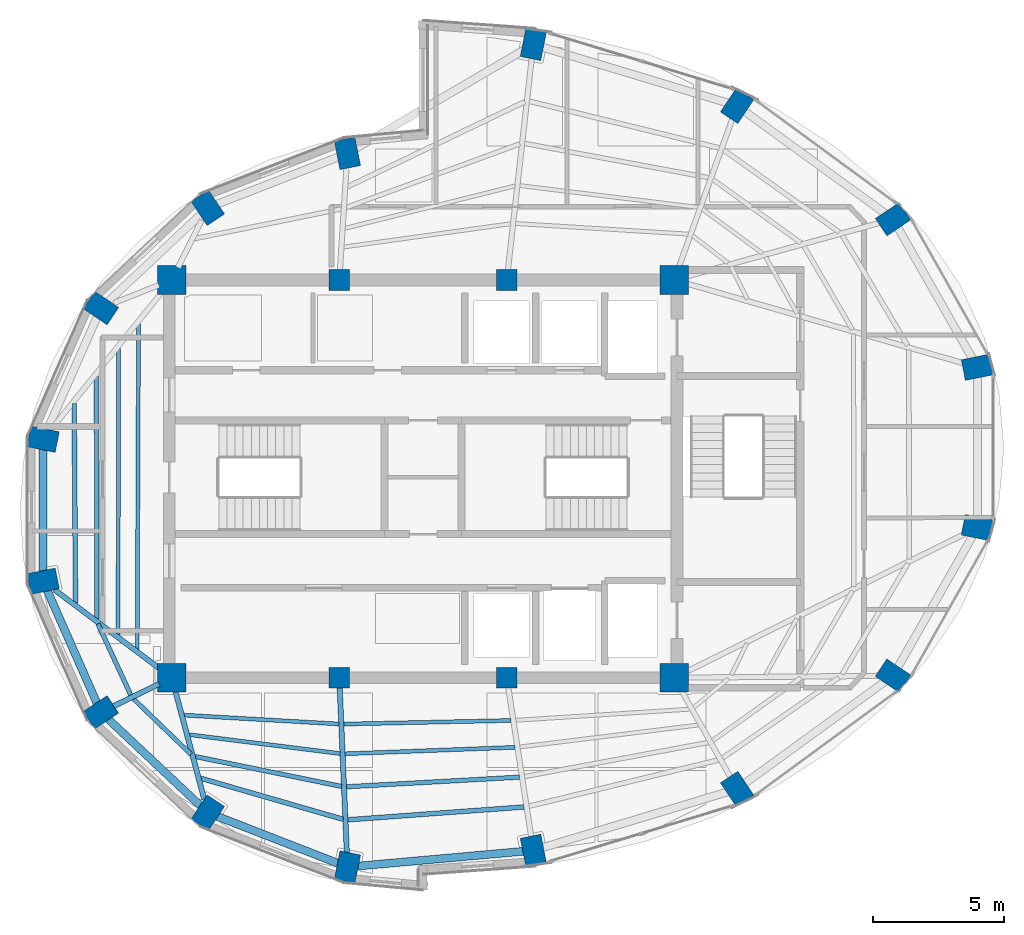
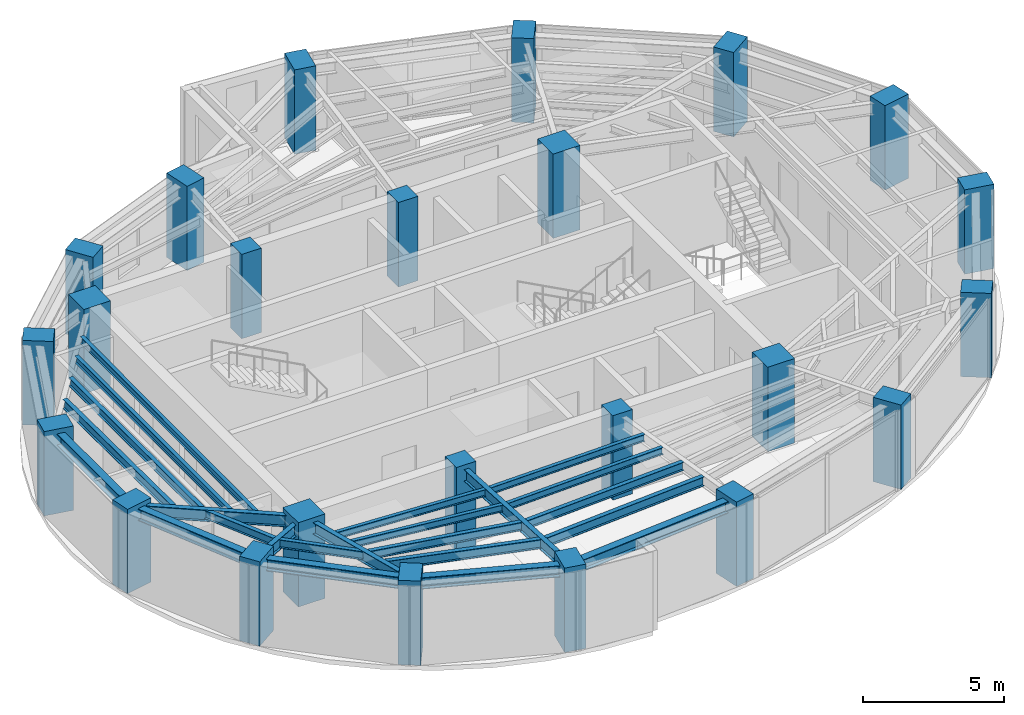
# One storey, part 1 of 13: 24 columns, 23 beams.
"""IFC4 building model written with IfcOpenShell, lengths in metres."""

from ifc_helpers import new_model, si_unit, direction, frame, origin, origin_2d, place, context, subcontext, project, spatial, rectangle, i_section, extrude, material, material_profile, profile_set, type_object, element, save


model = new_model("IFC4")

# Units and contexts
model_context = context("Model", 3, precision=1e-05, world=origin(), true_north=direction((0.0, 1.0)))
body_context = subcontext(model_context, "Body", "Model", "MODEL_VIEW")
ifc_project = project(units=[si_unit("LENGTHUNIT", "METRE"), si_unit("AREAUNIT", "SQUARE_METRE"), si_unit("VOLUMEUNIT", "CUBIC_METRE"), si_unit("PLANEANGLEUNIT", "RADIAN"), si_unit("MASSUNIT", "GRAM", prefix="KILO")], contexts=[model_context])

# Site, building, storey
site_placement = place(None, origin())
site = spatial("IfcSite", under=ifc_project, at=site_placement, CompositionType="ELEMENT")
building_placement = place(site_placement, origin())
building = spatial("IfcBuilding", under=site, at=building_placement, Name="Lazwardi Medical Tower", CompositionType="ELEMENT")
storey_placement = place(building_placement, frame((0.0, 0.0, 276.912109375)))
storey = spatial("IfcBuildingStorey", under=building, at=storey_placement, Name="L72", CompositionType="ELEMENT", Elevation=276.912109375)

# Columns
ifc_material_1 = material(Name="Concrete C80/95", Category="concrete")
ifc_material_profile_1 = material_profile(ifc_material_1, rectangle(XDim=1.10009765625, YDim=1.10009765625, at=origin_2d()), Name="RC 1100x1100")
ifc_profile_set_1 = profile_set([ifc_material_profile_1], Name="Concrete C80/95")
column_type_1 = type_object("IfcColumnType", Name="COL-CC-L", PredefinedType="COLUMN", material=ifc_profile_set_1)
for number, where, z_axis, x_axis, name in (
    (1, (26.39990234375, 20.39990234375, 0.0), (0.0, 0.0, 1.0), (1.0, 0.0, 0.0), "Core column CC-01 CC1 L72"),
    (2, (45.60009765625, 20.39990234375, 0.0), (0.0, 0.0, 1.0), (1.0, 0.0, 0.0), "Core column CC-01 CC4 L72"),
    (3, (45.60009765625, 35.60009765625, 0.0), (0.0, 0.0, 1.0), (1.0, 0.0, 0.0), "Core column CC-01 CC5 L72"),
    (4, (26.39990234375, 35.60009765625, 0.0), (0.0, 0.0, 1.0), (1.0, 0.0, 0.0), "Core column CC-01 CC8 L72"),
):
    element("IfcColumn", number, at=place(storey_placement, frame(where, z_axis=z_axis, x_axis=x_axis)), inside=storey, type_object=column_type_1, Name=name, PredefinedType="COLUMN", context=body_context, shape_type="SweptSolid", body=[
        extrude(rectangle(XDim=1.10009765625, YDim=1.10009765625, at=origin_2d()), origin(), (0.0, 0.0, 1.0), 3.64794921875),
    ])
ifc_material_2 = material(Name="Concrete C60/75", Category="concrete")
ifc_material_profile_2 = material_profile(ifc_material_2, rectangle(XDim=0.800048828125, YDim=0.800048828125, at=origin_2d()), Name="RC 800x800")
ifc_profile_set_2 = profile_set([ifc_material_profile_2], Name="Concrete C60/75")
column_type_2 = type_object("IfcColumnType", Name="COL-CC-U", PredefinedType="COLUMN", material=ifc_profile_set_2)
for number, where, z_axis, x_axis, name in (
    (5, (32.800048828125, 20.39990234375, 0.0), (0.0, 0.0, 1.0), (1.0, 0.0, 0.0), "Core column CC-03 CC2 L72"),
    (6, (39.199951171875, 20.39990234375, 0.0), (0.0, 0.0, 1.0), (1.0, 0.0, 0.0), "Core column CC-03 CC3 L72"),
    (7, (39.199951171875, 35.60009765625, 0.0), (0.0, 0.0, 1.0), (1.0, 0.0, 0.0), "Core column CC-03 CC6 L72"),
    (8, (32.800048828125, 35.60009765625, 0.0), (0.0, 0.0, 1.0), (1.0, 0.0, 0.0), "Core column CC-03 CC7 L72"),
):
    element("IfcColumn", number, at=place(storey_placement, frame(where, z_axis=z_axis, x_axis=x_axis)), inside=storey, type_object=column_type_2, Name=name, PredefinedType="COLUMN", context=body_context, shape_type="SweptSolid", body=[
        extrude(rectangle(XDim=0.800048828125, YDim=0.800048828125, at=origin_2d()), origin(), (0.0, 0.0, 1.0), 3.64794921875),
    ])
ifc_material_profile_3 = material_profile(ifc_material_2, rectangle(XDim=1.10009765625, YDim=0.800048828125, at=origin_2d()), Name="CFT-RECT 1100x800")
ifc_profile_set_3 = profile_set([ifc_material_profile_3], Name="Concrete C60/75")
column_type_3 = type_object("IfcColumnType", Name="COL-MC-Z4", PredefinedType="COLUMN", material=ifc_profile_set_3)
for number, where, z_axis, x_axis, name in (
    (9, (40.214111328125, 13.8017578125, 0.0), (0.0, 0.0, 1.0), (0.195090322016, -0.980785280403, 0.0), "Mega column MC-06 M01 L72"),
    (10, (48.000244140625, 16.14599609375, 0.0), (0.0, 0.0, 1.0), (0.55557023302, -0.831469612303, 0.0), "Mega column MC-06 M02 L72"),
    (11, (53.959716796875, 20.4775390625, 0.0), (0.0, 0.0, 1.0), (0.831469612303, -0.55557023302, 0.0), "Mega column MC-06 M03 L72"),
    (12, (57.18505859375, 26.13720703125, 0.0), (0.0, 0.0, 1.0), (0.980785280403, -0.195090322016, 0.0), "Mega column MC-06 M04 L72"),
    (13, (57.18505859375, 32.262939453125, 0.0), (0.0, 0.0, 1.0), (0.980785280403, 0.195090322016, 0.0), "Mega column MC-06 M05 L72"),
    (14, (53.959716796875, 37.922607421875, 0.0), (0.0, 0.0, 1.0), (0.831469612303, 0.55557023302, 0.0), "Mega column MC-06 M06 L72"),
    (15, (48.000244140625, 42.254150390625, 0.0), (0.0, 0.0, 1.0), (0.55557023302, 0.831469612303, 0.0), "Mega column MC-06 M07 L72"),
    (16, (40.214111328125, 44.598388671875, 0.0), (0.0, 0.0, 1.0), (0.195090322016, 0.980785280403, 0.0), "Mega column MC-06 M08 L72"),
    (17, (33.11279296875, 40.432861328125, 0.0), (0.0, 0.0, 1.0), (-0.195090322016, 0.980785280403, 0.0), "Mega column MC-06 M09 L72"),
    (18, (27.777587890625, 38.357421875, 0.0), (0.0, 0.0, 1.0), (-0.55557023302, 0.831469612303, 0.0), "Mega column MC-06 M10 L72"),
    (19, (23.694091796875, 34.5224609375, 0.0), (0.0, 0.0, 1.0), (-0.831469612303, 0.55557023302, 0.0), "Mega column MC-06 M11 L72"),
    (20, (21.484375, 29.51171875, 0.0), (0.0, 0.0, 1.0), (-0.980785280403, 0.195090322016, 0.0), "Mega column MC-06 M12 L72"),
    (21, (21.484375, 24.088134765625, 0.0), (0.0, 0.0, 1.0), (-0.980785280403, -0.195090322016, 0.0), "Mega column MC-06 M13 L72"),
    (22, (23.694091796875, 19.07763671875, 0.0), (0.0, 0.0, 1.0), (-0.831469612303, -0.55557023302, 0.0), "Mega column MC-06 M14 L72"),
    (23, (27.777587890625, 15.24267578125, 0.0), (0.0, 0.0, 1.0), (-0.55557023302, -0.831469612303, 0.0), "Mega column MC-06 M15 L72"),
    (24, (33.11279296875, 13.1669921875, 0.0), (0.0, 0.0, 1.0), (-0.195090322016, -0.980785280403, 0.0), "Mega column MC-06 M16 L72"),
):
    element("IfcColumn", number, at=place(storey_placement, frame(where, z_axis=z_axis, x_axis=x_axis)), inside=storey, type_object=column_type_3, Name=name, PredefinedType="COLUMN", context=body_context, shape_type="SweptSolid", body=[
        extrude(rectangle(XDim=1.10009765625, YDim=0.800048828125, at=origin_2d()), origin(), (0.0, 0.0, 1.0), 3.64794921875),
    ])

# Beams
ifc_material_3 = material(Name="Steel S355", Category="steel")
ifc_material_profile_4 = material_profile(ifc_material_3, i_section(OverallWidth=0.300048828125, OverallDepth=0.5, WebThickness=0.014404296875, FlangeThickness=0.028076171875, at=origin_2d()), Name="HEB 500")
ifc_profile_set_4 = profile_set([ifc_material_profile_4], Name="Steel S355")
beam_type_1 = type_object("IfcBeamType", Name="BM-RB-Z4", PredefinedType="BEAM", material=ifc_profile_set_4)
beam_1_placement = place(storey_placement, frame((21.484375, 29.121826171875, 3.197998046875), z_axis=(0.0, -1.0, 0.0), x_axis=(1.0, 0.0, 0.0)))
element("IfcBeam", 25, at=beam_1_placement, inside=storey, type_object=beam_type_1, Name="Ring beam RB-05 B12 L72", PredefinedType="BEAM", context=body_context, shape_type="SweptSolid", body=[
    extrude(i_section(OverallWidth=0.300048828125, OverallDepth=0.5, WebThickness=0.014404296875, FlangeThickness=0.028076171875, at=origin_2d()), origin(), (0.0, 0.0, 1.0), 4.6435546875),
])
beam_2_placement = place(storey_placement, frame((21.641845703125, 23.7314453125, 3.197998046875), z_axis=(0.403503258239, -0.914978207713, 0.0), x_axis=(0.914978207713, 0.403503258239, 0.0)))
element("IfcBeam", 26, at=beam_2_placement, inside=storey, type_object=beam_type_1, Name="Ring beam RB-05 B13 L72", PredefinedType="BEAM", context=body_context, shape_type="SweptSolid", body=[
    extrude(i_section(OverallWidth=0.300048828125, OverallDepth=0.5, WebThickness=0.014404296875, FlangeThickness=0.028076171875, at=origin_2d()), origin(), (0.0, 0.0, 1.0), 4.696533203125),
])
beam_3_placement = place(storey_placement, frame((23.978515625, 18.810546875, 3.197998046875), z_axis=(0.728935349177, -0.684582541934, 0.0), x_axis=(0.684582541934, 0.728935349177, 0.0)))
element("IfcBeam", 27, at=beam_3_placement, inside=storey, type_object=beam_type_1, Name="Ring beam RB-05 B14 L72", PredefinedType="BEAM", context=body_context, shape_type="SweptSolid", body=[
    extrude(i_section(OverallWidth=0.300048828125, OverallDepth=0.5, WebThickness=0.014404296875, FlangeThickness=0.028076171875, at=origin_2d()), origin(), (0.0, 0.0, 1.0), 4.822021484375),
])
beam_4_placement = place(storey_placement, frame((28.14111328125, 15.101318359375, 3.197998046875), z_axis=(0.931959260109, -0.362563011761, 0.0), x_axis=(0.362563011761, 0.931959260109, 0.0)))
element("IfcBeam", 28, at=beam_4_placement, inside=storey, type_object=beam_type_1, Name="Ring beam RB-05 B15 L72", PredefinedType="BEAM", context=body_context, shape_type="SweptSolid", body=[
    extrude(i_section(OverallWidth=0.300048828125, OverallDepth=0.5, WebThickness=0.014404296875, FlangeThickness=0.028076171875, at=origin_2d()), origin(), (0.0, 0.0, 1.0), 4.944580078125),
])
beam_5_placement = place(storey_placement, frame((33.501220703125, 13.201904296875, 3.197998046875), z_axis=(0.996030403479, 0.089013680669, 0.0), x_axis=(-0.089013680669, 0.996030403479, 0.0)))
element("IfcBeam", 29, at=beam_5_placement, inside=storey, type_object=beam_type_1, Name="Ring beam RB-05 B16 L72", PredefinedType="BEAM", context=body_context, shape_type="SweptSolid", body=[
    extrude(i_section(OverallWidth=0.300048828125, OverallDepth=0.5, WebThickness=0.014404296875, FlangeThickness=0.028076171875, at=origin_2d()), origin(), (0.0, 0.0, 1.0), 6.349365234375),
])
ifc_material_profile_5 = material_profile(ifc_material_3, i_section(OverallWidth=0.199951171875, OverallDepth=0.5, WebThickness=0.01025390625, FlangeThickness=0.01611328125, at=origin_2d()), Name="IPE 500")
ifc_profile_set_5 = profile_set([ifc_material_profile_5], Name="Steel S355")
beam_type_2 = type_object("IfcBeamType", Name="BM-RG-W3", PredefinedType="BEAM", material=ifc_profile_set_5)
beam_6_placement = place(storey_placement, frame((21.912353515625, 23.76708984375, 3.197998046875), z_axis=(0.79990185954, -0.600130831657, 0.0), x_axis=(0.600130831657, 0.79990185954, 0.0)))
element("IfcBeam", 30, at=beam_6_placement, inside=storey, type_object=beam_type_2, Name="Radial girder RG-04 R13 L72", PredefinedType="BEAM", context=body_context, shape_type="SweptSolid", body=[
    extrude(i_section(OverallWidth=0.199951171875, OverallDepth=0.5, WebThickness=0.01025390625, FlangeThickness=0.01611328125, at=origin_2d()), origin(), (0.0, 0.0, 1.0), 5.075439453125),
])
beam_7_placement = place(storey_placement, frame((24.1748046875, 19.3125, 3.197998046875), z_axis=(0.898439482653, 0.43909736507, 0.0), x_axis=(-0.43909736507, 0.898439482653, 0.0)))
element("IfcBeam", 31, at=beam_7_placement, inside=storey, type_object=beam_type_2, Name="Radial girder RG-04 R14 L72", PredefinedType="BEAM", context=body_context, shape_type="SweptSolid", body=[
    extrude(i_section(OverallWidth=0.199951171875, OverallDepth=0.5, WebThickness=0.01025390625, FlangeThickness=0.01611328125, at=origin_2d()), origin(), (0.0, 0.0, 1.0), 1.941650390625),
])
beam_8_placement = place(storey_placement, frame((27.639404296875, 15.759521484375, 3.197998046875), z_axis=(-0.25803645922, 0.966135179834, 0.0), x_axis=(-0.966135179834, -0.25803645922, 0.0)))
element("IfcBeam", 32, at=beam_8_placement, inside=storey, type_object=beam_type_2, Name="Radial girder RG-04 R15 L72", PredefinedType="BEAM", context=body_context, shape_type="SweptSolid", body=[
    extrude(i_section(OverallWidth=0.199951171875, OverallDepth=0.5, WebThickness=0.01025390625, FlangeThickness=0.01611328125, at=origin_2d()), origin(), (0.0, 0.0, 1.0), 4.26806640625),
])
beam_9_placement = place(storey_placement, frame((33.089599609375, 13.70166015625, 3.197998046875), z_axis=(-0.043190778794, 0.999066842923, 0.0), x_axis=(-0.999066842923, -0.043190778794, 0.0)))
element("IfcBeam", 33, at=beam_9_placement, inside=storey, type_object=beam_type_2, Name="Radial girder RG-04 R16 L72", PredefinedType="BEAM", context=body_context, shape_type="SweptSolid", body=[
    extrude(i_section(OverallWidth=0.199951171875, OverallDepth=0.5, WebThickness=0.01025390625, FlangeThickness=0.01611328125, at=origin_2d()), origin(), (0.0, 0.0, 1.0), 6.319580078125),
])
ifc_material_profile_6 = material_profile(ifc_material_3, i_section(OverallWidth=0.179931640625, OverallDepth=0.39990234375, WebThickness=0.008544921875, FlangeThickness=0.013427734375, at=origin_2d()), Name="IPE 400")
ifc_profile_set_6 = profile_set([ifc_material_profile_6], Name="Steel S355")
beam_type_3 = type_object("IfcBeamType", Name="BM-SJ-01", PredefinedType="JOIST", material=ifc_profile_set_6)
beam_10_placement = place(storey_placement, frame((22.669921875, 30.88427734375, 3.247802734375), z_axis=(0.007038023905, -0.999975232803, 0.0), x_axis=(0.999975232803, 0.007038023905, 0.0)))
element("IfcBeam", 34, at=beam_10_placement, inside=storey, type_object=beam_type_3, Name="Secondary joist SJ-01 R1 B12 L72", PredefinedType="JOIST", context=body_context, shape_type="SweptSolid", body=[
    extrude(i_section(OverallWidth=0.179931640625, OverallDepth=0.39990234375, WebThickness=0.008544921875, FlangeThickness=0.013427734375, at=origin_2d()), origin(), (0.0, 0.0, 1.0), 7.631591796875),
])
beam_11_placement = place(storey_placement, frame((27.510498046875, 16.557861328125, 3.247802734375), z_axis=(0.960828455467, -0.277143787887, 0.0), x_axis=(0.277143787887, 0.960828455467, 0.0)))
element("IfcBeam", 35, at=beam_11_placement, inside=storey, type_object=beam_type_3, Name="Secondary joist SJ-01 R1 B15 L72", PredefinedType="JOIST", context=body_context, shape_type="SweptSolid", body=[
    extrude(i_section(OverallWidth=0.179931640625, OverallDepth=0.39990234375, WebThickness=0.008544921875, FlangeThickness=0.013427734375, at=origin_2d()), origin(), (0.0, 0.0, 1.0), 5.654541015625),
])
beam_12_placement = place(storey_placement, frame((33.129638671875, 14.97119140625, 3.247802734375), z_axis=(0.997360105889, 0.072614180298, 0.0), x_axis=(-0.072614180298, 0.997360105889, 0.0)))
element("IfcBeam", 36, at=beam_12_placement, inside=storey, type_object=beam_type_3, Name="Secondary joist SJ-01 R1 B16 L72", PredefinedType="JOIST", context=body_context, shape_type="SweptSolid", body=[
    extrude(i_section(OverallWidth=0.179931640625, OverallDepth=0.39990234375, WebThickness=0.008544921875, FlangeThickness=0.013427734375, at=origin_2d()), origin(), (0.0, 0.0, 1.0), 6.751220703125),
])
ifc_material_profile_7 = material_profile(ifc_material_3, i_section(OverallWidth=0.169921875, OverallDepth=0.360107421875, WebThickness=0.008056640625, FlangeThickness=0.0126953125, at=origin_2d()), Name="IPE 360")
ifc_profile_set_7 = profile_set([ifc_material_profile_7], Name="Steel S355")
beam_type_4 = type_object("IfcBeamType", Name="BM-SJ-02", PredefinedType="JOIST", material=ifc_profile_set_7)
beam_13_placement = place(storey_placement, frame((23.51806640625, 31.935302734375, 3.267822265625), z_axis=(0.001918121439, -0.999998160403, 0.0), x_axis=(0.999998160403, 0.001918121439, 0.0)))
element("IfcBeam", 37, at=beam_13_placement, inside=storey, type_object=beam_type_4, Name="Secondary joist SJ-02 R2 B12 L72", PredefinedType="JOIST", context=body_context, shape_type="SweptSolid", body=[
    extrude(i_section(OverallWidth=0.169921875, OverallDepth=0.360107421875, WebThickness=0.008056640625, FlangeThickness=0.0126953125, at=origin_2d()), origin(), (0.0, 0.0, 1.0), 9.29150390625),
])
beam_14_placement = place(storey_placement, frame((23.575927734375, 22.46240234375, 3.267822265625), z_axis=(0.419120130681, -0.907930788143, 0.0), x_axis=(0.907930788143, 0.419120130681, 0.0)))
element("IfcBeam", 38, at=beam_14_placement, inside=storey, type_object=beam_type_4, Name="Secondary joist SJ-02 R2 B13 L72", PredefinedType="JOIST", context=body_context, shape_type="SweptSolid", body=[
    extrude(i_section(OverallWidth=0.169921875, OverallDepth=0.360107421875, WebThickness=0.008056640625, FlangeThickness=0.0126953125, at=origin_2d()), origin(), (0.0, 0.0, 1.0), 2.998779296875),
])
beam_15_placement = place(storey_placement, frame((24.94091796875, 19.587646484375, 3.267822265625), z_axis=(0.719630919159, -0.694356781626, 0.0), x_axis=(0.694356781626, 0.719630919159, 0.0)))
element("IfcBeam", 39, at=beam_15_placement, inside=storey, type_object=beam_type_4, Name="Secondary joist SJ-02 R2 B14 L72", PredefinedType="JOIST", context=body_context, shape_type="SweptSolid", body=[
    extrude(i_section(OverallWidth=0.169921875, OverallDepth=0.360107421875, WebThickness=0.008056640625, FlangeThickness=0.0126953125, at=origin_2d()), origin(), (0.0, 0.0, 1.0), 3.042724609375),
])
beam_16_placement = place(storey_placement, frame((27.2919921875, 17.389892578125, 3.267822265625), z_axis=(0.979738197465, -0.200282461608, 0.0), x_axis=(0.200282461608, 0.979738197465, 0.0)))
element("IfcBeam", 40, at=beam_16_placement, inside=storey, type_object=beam_type_4, Name="Secondary joist SJ-02 R2 B15 L72", PredefinedType="JOIST", context=body_context, shape_type="SweptSolid", body=[
    extrude(i_section(OverallWidth=0.169921875, OverallDepth=0.360107421875, WebThickness=0.008056640625, FlangeThickness=0.0126953125, at=origin_2d()), origin(), (0.0, 0.0, 1.0), 5.7109375),
])
beam_17_placement = place(storey_placement, frame((33.0751953125, 16.232421875, 3.267822265625), z_axis=(0.998451835098, 0.055623133576, 0.0), x_axis=(-0.055623133576, 0.998451835098, 0.0)))
element("IfcBeam", 41, at=beam_17_placement, inside=storey, type_object=beam_type_4, Name="Secondary joist SJ-02 R2 B16 L72", PredefinedType="JOIST", context=body_context, shape_type="SweptSolid", body=[
    extrude(i_section(OverallWidth=0.169921875, OverallDepth=0.360107421875, WebThickness=0.008056640625, FlangeThickness=0.0126953125, at=origin_2d()), origin(), (0.0, 0.0, 1.0), 6.623291015625),
])
ifc_material_profile_8 = material_profile(ifc_material_3, i_section(OverallWidth=0.14990234375, OverallDepth=0.300048828125, WebThickness=0.007080078125, FlangeThickness=0.0107421875, at=origin_2d()), Name="IPE 300")
ifc_profile_set_8 = profile_set([ifc_material_profile_8], Name="Steel S355")
beam_type_5 = type_object("IfcBeamType", Name="BM-SJ-03", PredefinedType="JOIST", material=ifc_profile_set_8)
beam_18_placement = place(storey_placement, frame((24.366455078125, 32.986572265625, 3.2978515625), z_axis=(-0.001649574216, -0.999998639452, 0.0), x_axis=(0.999998639452, -0.001649574216, 0.0)))
element("IfcBeam", 42, at=beam_18_placement, inside=storey, type_object=beam_type_5, Name="Secondary joist SJ-03 R3 B12 L72", PredefinedType="JOIST", context=body_context, shape_type="SweptSolid", body=[
    extrude(i_section(OverallWidth=0.14990234375, OverallDepth=0.300048828125, WebThickness=0.007080078125, FlangeThickness=0.0107421875, at=origin_2d()), origin(), (0.0, 0.0, 1.0), 10.9521484375),
])
beam_19_placement = place(storey_placement, frame((27.072998046875, 18.221923828125, 3.2978515625), z_axis=(0.992269460733, -0.124102043887, 0.0), x_axis=(0.124102043887, 0.992269460733, 0.0)))
element("IfcBeam", 43, at=beam_19_placement, inside=storey, type_object=beam_type_5, Name="Secondary joist SJ-03 R3 B15 L72", PredefinedType="JOIST", context=body_context, shape_type="SweptSolid", body=[
    extrude(i_section(OverallWidth=0.14990234375, OverallDepth=0.300048828125, WebThickness=0.007080078125, FlangeThickness=0.0107421875, at=origin_2d()), origin(), (0.0, 0.0, 1.0), 5.803466796875),
])
beam_20_placement = place(storey_placement, frame((33.020751953125, 17.493408203125, 3.2978515625), z_axis=(0.999278116384, 0.037990079181, 0.0), x_axis=(-0.037990079181, 0.999278116384, 0.0)))
element("IfcBeam", 44, at=beam_20_placement, inside=storey, type_object=beam_type_5, Name="Secondary joist SJ-03 R3 B16 L72", PredefinedType="JOIST", context=body_context, shape_type="SweptSolid", body=[
    extrude(i_section(OverallWidth=0.14990234375, OverallDepth=0.300048828125, WebThickness=0.007080078125, FlangeThickness=0.0107421875, at=origin_2d()), origin(), (0.0, 0.0, 1.0), 6.4970703125),
])
beam_21_placement = place(storey_placement, frame((25.1298828125, 33.9326171875, 3.2978515625), z_axis=(-0.004060302734, -0.999991756937, 0.0), x_axis=(0.999991756937, -0.004060302734, 0.0)))
element("IfcBeam", 45, at=beam_21_placement, inside=storey, type_object=beam_type_5, Name="Secondary joist SJ-03 R4 B12 L72", PredefinedType="JOIST", context=body_context, shape_type="SweptSolid", body=[
    extrude(i_section(OverallWidth=0.14990234375, OverallDepth=0.300048828125, WebThickness=0.007080078125, FlangeThickness=0.0107421875, at=origin_2d()), origin(), (0.0, 0.0, 1.0), 12.446533203125),
])
beam_22_placement = place(storey_placement, frame((26.875244140625, 18.970458984375, 3.2978515625), z_axis=(0.998360639354, -0.057236647244, 0.0), x_axis=(0.057236647244, 0.998360639354, 0.0)))
element("IfcBeam", 46, at=beam_22_placement, inside=storey, type_object=beam_type_5, Name="Secondary joist SJ-03 R4 B15 L72", PredefinedType="JOIST", context=body_context, shape_type="SweptSolid", body=[
    extrude(i_section(OverallWidth=0.14990234375, OverallDepth=0.300048828125, WebThickness=0.007080078125, FlangeThickness=0.0107421875, at=origin_2d()), origin(), (0.0, 0.0, 1.0), 5.916259765625),
])
beam_23_placement = place(storey_placement, frame((32.9716796875, 18.62841796875, 3.2978515625), z_axis=(0.999768300197, 0.021525471452, 0.0), x_axis=(-0.021525471452, 0.999768300197, 0.0)))
element("IfcBeam", 47, at=beam_23_placement, inside=storey, type_object=beam_type_5, Name="Secondary joist SJ-03 R4 B16 L72", PredefinedType="JOIST", context=body_context, shape_type="SweptSolid", body=[
    extrude(i_section(OverallWidth=0.14990234375, OverallDepth=0.300048828125, WebThickness=0.007080078125, FlangeThickness=0.0107421875, at=origin_2d()), origin(), (0.0, 0.0, 1.0), 6.385498046875),
])

save(model, "model.ifc")
